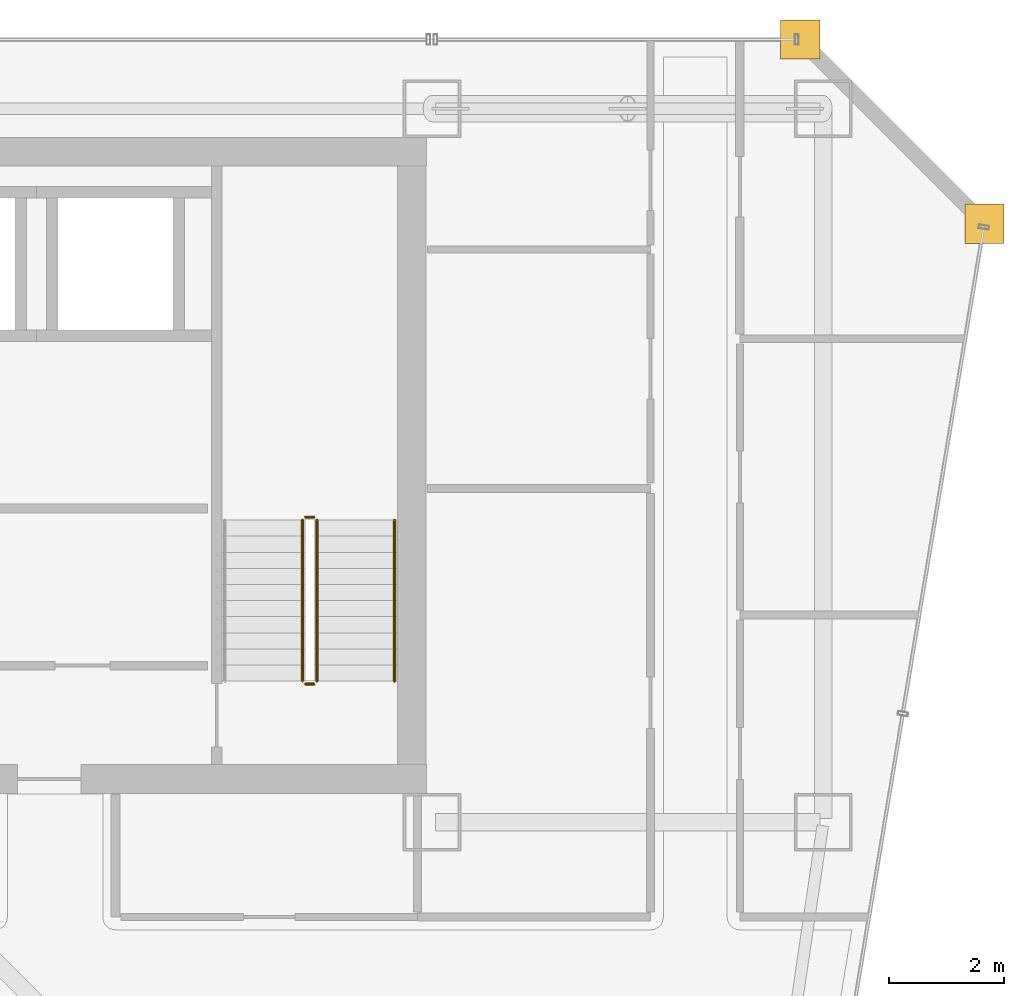
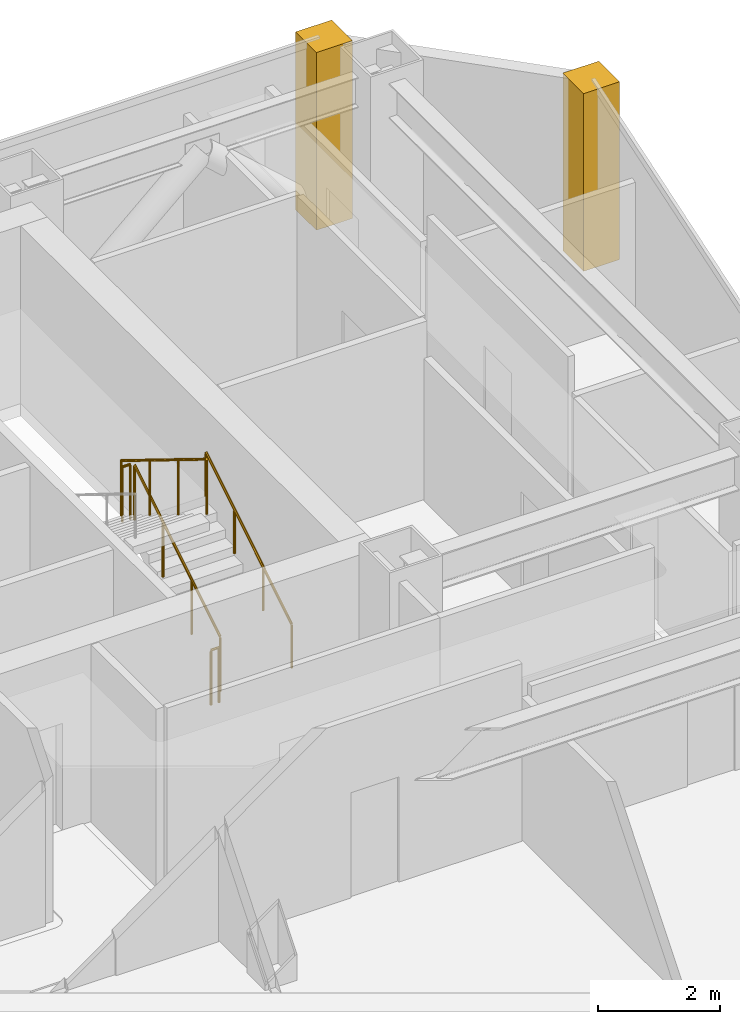
# One storey, part 40 of 40: 5 railings, 2 coverings.
"""IFC4 building model written with IfcOpenShell, lengths in metres."""

from ifc_helpers import new_model, si_unit, direction, frame, origin, origin_2d, place, context, subcontext, project, spatial, polyline, circle, outline, extrude, material, layer, layer_set, type_object, element, save


model = new_model("IFC4")

# Units and contexts
model_context = context("Model", 3, precision=1e-05, world=origin(), true_north=direction((0.0, 1.0)))
body_context = subcontext(model_context, "Body", "Model", "MODEL_VIEW")
ifc_project = project(units=[si_unit("LENGTHUNIT", "METRE"), si_unit("AREAUNIT", "SQUARE_METRE"), si_unit("VOLUMEUNIT", "CUBIC_METRE"), si_unit("PLANEANGLEUNIT", "RADIAN"), si_unit("MASSUNIT", "GRAM", prefix="KILO")], contexts=[model_context])

# Site, building, storey
site_placement = place(None, origin())
site = spatial("IfcSite", under=ifc_project, at=site_placement, CompositionType="ELEMENT")
building_placement = place(site_placement, origin())
building = spatial("IfcBuilding", under=site, at=building_placement, Name="Saevonmaru Cultural Tower", CompositionType="ELEMENT")
storey_placement = place(building_placement, frame((0.0, 0.0, 129.60009765625)))
storey = spatial("IfcBuildingStorey", under=building, at=storey_placement, Name="L27", CompositionType="ELEMENT", Elevation=129.60009765625)

# Coverings
ifc_material_1 = material(Name="Satin Bronze Anodised Aluminium", Category="aluminium")
ifc_layer = layer(ifc_material_1, 0.679931640625, Name="Satin Bronze Anodised Aluminium")
ifc_layer_set = layer_set([ifc_layer], Name="Satin Bronze Anodised Aluminium")
covering_type = type_object("IfcCoveringType", Name="CV-CORNER-CLAD", PredefinedType="CLADDING", material=ifc_layer_set)
covering_1_placement = place(storey_placement, origin())
element("IfcCovering", 1, at=covering_1_placement, inside=storey, type_object=covering_type, Name="L27 Tower Bronze Corner Cladding Pier 9", PredefinedType="CLADDING", context=body_context, shape_type="SweptSolid", body=[
    extrude(outline(polyline([(55.659912109375, 52.4599609375), (56.340087890625, 52.4599609375), (56.340087890625, 53.139892578125), (55.659912109375, 53.139892578125), (55.659912109375, 52.4599609375)])), origin(), (0.0, 0.0, 1.0), 3.5498046875),
])
covering_2_placement = place(storey_placement, origin())
element("IfcCovering", 2, at=covering_2_placement, inside=storey, type_object=covering_type, Name="L27 Tower Bronze Corner Cladding Pier 10", PredefinedType="CLADDING", context=body_context, shape_type="SweptSolid", body=[
    extrude(outline(polyline([(52.4599609375, 55.659912109375), (53.139892578125, 55.659912109375), (53.139892578125, 56.340087890625), (52.4599609375, 56.340087890625), (52.4599609375, 55.659912109375)])), origin(), (0.0, 0.0, 1.0), 3.5498046875),
])

# Railings
ifc_material_2 = material(Name="Architectural Painted Steel", Category="steel")
railing_type_1 = type_object("IfcRailingType", Name="RL-STAIR-GUARD", PredefinedType="GUARDRAIL", material=ifc_material_2)
railing_1_placement = place(storey_placement, frame((44.39990234375, 44.85009765625, 0.172607421875)))
element("IfcRailing", 3, at=railing_1_placement, inside=storey, type_object=railing_type_1, Name="L27 ST-2 stair guard 1", PredefinedType="GUARDRAIL", context=body_context, shape_type="SweptSolid", body=[
    extrude(circle(Radius=0.02392578125, at=origin_2d()), frame((0.0, 0.0, 1.09619140625), z_axis=(0.0, 0.851069175582, 0.525053576669), x_axis=(-1.0, 0.0, 0.0)), (0.0, 0.0, 1.0), 3.289794921875),
    extrude(circle(Radius=0.02099609375, at=origin_2d()), origin(), (0.0, 0.0, 1.0), 1.072021484375),
    extrude(circle(Radius=0.02099609375, at=origin_2d()), frame((0.0, 0.933349609375, 0.57568359375)), (0.0, 0.0, 1.0), 1.072021484375),
    extrude(circle(Radius=0.02099609375, at=origin_2d()), frame((0.0, 1.866455078125, 1.151611328125)), (0.0, 0.0, 1.0), 1.072021484375),
    extrude(circle(Radius=0.02099609375, at=origin_2d()), frame((0.0, 2.7998046875, 1.727294921875)), (0.0, 0.0, 1.0), 1.072021484375),
])
railing_2_placement = place(storey_placement, frame((44.35009765625, 47.699951171875, 1.89990234375)))
element("IfcRailing", 4, at=railing_2_placement, inside=storey, type_object=railing_type_1, Name="L27 ST-2 stair guard 2", PredefinedType="GUARDRAIL", context=body_context, shape_type="SweptSolid", body=[
    extrude(circle(Radius=0.02392578125, at=origin_2d()), frame((0.0, 0.0, 1.09619140625), z_axis=(-1.0, 0.0, 0.0), x_axis=(0.0, -1.0, 0.0)), (0.0, 0.0, 1.0), 0.150146484375),
    extrude(circle(Radius=0.02099609375, at=origin_2d()), origin(), (0.0, 0.0, 1.0), 1.072021484375),
    extrude(circle(Radius=0.02099609375, at=origin_2d()), frame((-0.150146484375, 0.0, 0.0)), (0.0, 0.0, 1.0), 1.072021484375),
])
railing_3_placement = place(storey_placement, frame((44.14990234375, 47.64990234375, 2.072509765625)))
element("IfcRailing", 5, at=railing_3_placement, inside=storey, type_object=railing_type_1, Name="L27 ST-2 stair guard 3", PredefinedType="GUARDRAIL", context=body_context, shape_type="SweptSolid", body=[
    extrude(circle(Radius=0.02392578125, at=origin_2d()), frame((0.0, 0.0, 1.09619140625), z_axis=(0.0, -0.851069175582, 0.525053576669), x_axis=(1.0, 0.0, 0.0)), (0.0, 0.0, 1.0), 3.289794921875),
    extrude(circle(Radius=0.02099609375, at=origin_2d()), origin(), (0.0, 0.0, 1.0), 1.072021484375),
    extrude(circle(Radius=0.02099609375, at=origin_2d()), frame((0.0, -0.933349609375, 0.57568359375)), (0.0, 0.0, 1.0), 1.072021484375),
    extrude(circle(Radius=0.02099609375, at=origin_2d()), frame((0.0, -1.866455078125, 1.151611328125)), (0.0, 0.0, 1.0), 1.072021484375),
    extrude(circle(Radius=0.02099609375, at=origin_2d()), frame((0.0, -2.7998046875, 1.727294921875)), (0.0, 0.0, 1.0), 1.072021484375),
])
railing_4_placement = place(storey_placement, frame((44.35009765625, 44.800048828125, 0.0)))
element("IfcRailing", 6, at=railing_4_placement, inside=storey, type_object=railing_type_1, Name="L27 ST-2 stair guard 4", PredefinedType="GUARDRAIL", context=body_context, shape_type="SweptSolid", body=[
    extrude(circle(Radius=0.02392578125, at=origin_2d()), frame((0.0, 0.0, 1.09619140625), z_axis=(-1.0, 0.0, 0.0), x_axis=(0.0, -1.0, 0.0)), (0.0, 0.0, 1.0), 0.150146484375),
    extrude(circle(Radius=0.02099609375, at=origin_2d()), origin(), (0.0, 0.0, 1.0), 1.072021484375),
    extrude(circle(Radius=0.02099609375, at=origin_2d()), frame((-0.150146484375, 0.0, 0.0)), (0.0, 0.0, 1.0), 1.072021484375),
])
railing_type_2 = type_object("IfcRailingType", Name="RL-STAIR-HANDRAIL", PredefinedType="HANDRAIL", material=ifc_material_1)
railing_5_placement = place(storey_placement, frame((45.75, 44.85009765625, 0.172607421875)))
element("IfcRailing", 7, at=railing_5_placement, inside=storey, type_object=railing_type_2, Name="L27 ST-2 stair handrail 1", PredefinedType="HANDRAIL", context=body_context, shape_type="SweptSolid", body=[
    extrude(circle(Radius=0.02392578125, at=origin_2d()), frame((0.0, 0.0, 0.8759765625), z_axis=(0.0, 0.851069175582, 0.525053576669), x_axis=(-1.0, 0.0, 0.0)), (0.0, 0.0, 1.0), 3.289794921875),
    extrude(circle(Radius=0.02099609375, at=origin_2d()), origin(), (0.0, 0.0, 1.0), 0.851806640625),
    extrude(circle(Radius=0.02099609375, at=origin_2d()), frame((0.0, 0.933349609375, 0.57568359375)), (0.0, 0.0, 1.0), 0.851806640625),
    extrude(circle(Radius=0.02099609375, at=origin_2d()), frame((0.0, 1.866455078125, 1.151611328125)), (0.0, 0.0, 1.0), 0.851806640625),
    extrude(circle(Radius=0.02099609375, at=origin_2d()), frame((0.0, 2.7998046875, 1.727294921875)), (0.0, 0.0, 1.0), 0.851806640625),
])

save(model, "model.ifc")
